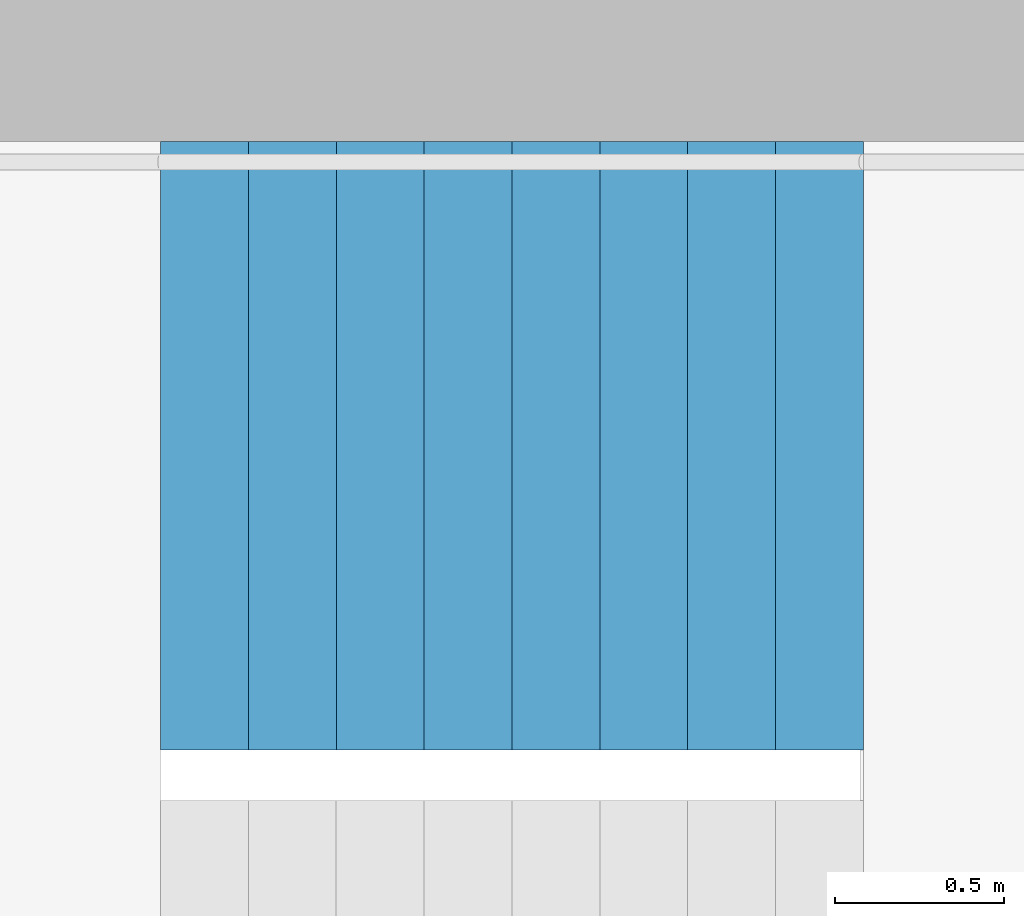
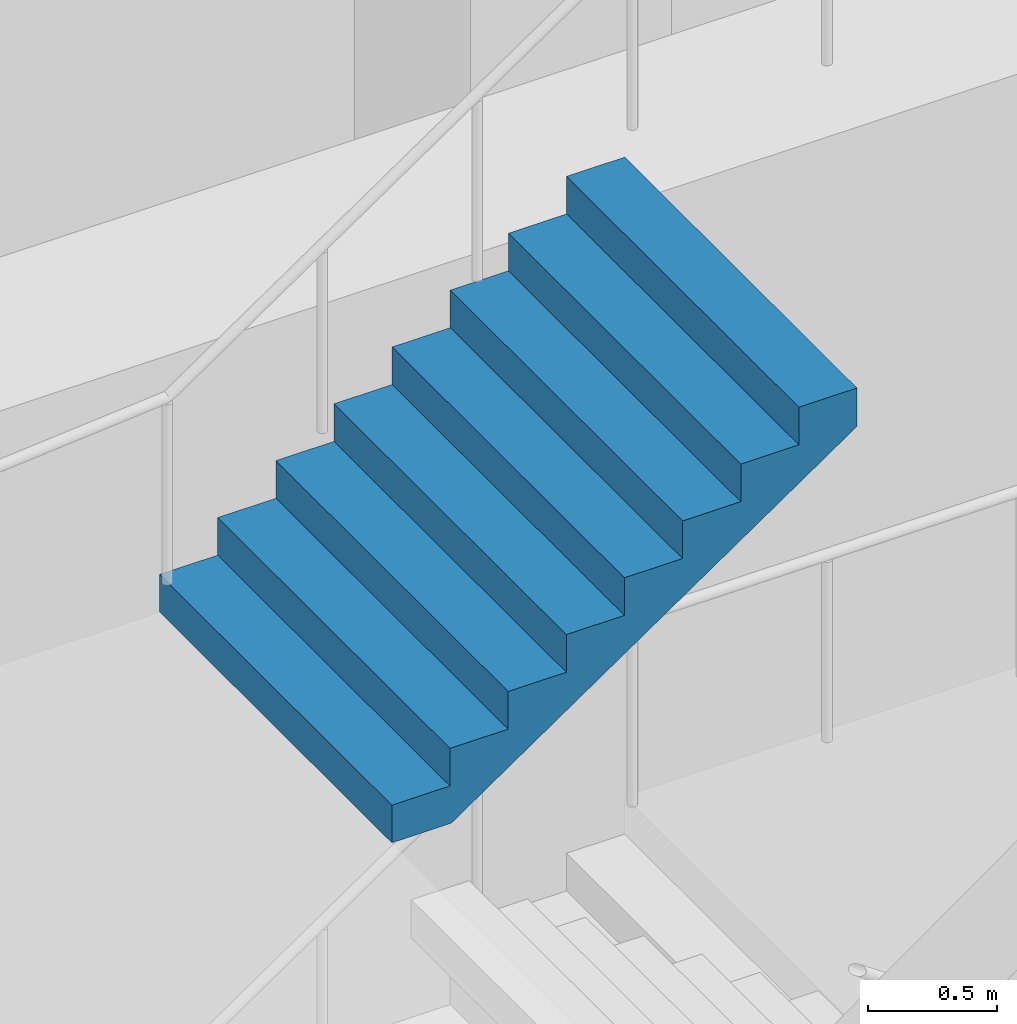
# One storey, part 32 of 44: 1 stair flight, 1 element without a shape of its own.
"""IFC4 building model written with IfcOpenShell, lengths in metres."""

from ifc_helpers import new_model, si_unit, direction, frame, origin, place, context, subcontext, project, spatial, triangles, material, type_object, element, aggregate, save


model = new_model("IFC4")

# Units and contexts
model_context = context("Model", 3, precision=1e-05, world=origin(), true_north=direction((0.0, 1.0)))
body_context = subcontext(model_context, "Body", "Model", "MODEL_VIEW")
ifc_project = project(units=[si_unit("LENGTHUNIT", "METRE"), si_unit("AREAUNIT", "SQUARE_METRE"), si_unit("VOLUMEUNIT", "CUBIC_METRE"), si_unit("PLANEANGLEUNIT", "RADIAN"), si_unit("MASSUNIT", "GRAM", prefix="KILO")], contexts=[model_context])

# Site, building, storey
site_placement = place(None, origin())
site = spatial("IfcSite", under=ifc_project, at=site_placement, CompositionType="ELEMENT")
building_placement = place(site_placement, origin())
building = spatial("IfcBuilding", under=site, at=building_placement, Name="Hakoniwa Tower and Hamabe Station Hall", CompositionType="ELEMENT")
storey_placement = place(building_placement, frame((0.0, 0.0, 69.0)))
storey = spatial("IfcBuildingStorey", under=building, at=storey_placement, Name="L19", CompositionType="ELEMENT", Elevation=69.0)

# Stair, stair flight
ifc_material_1 = material(Name="Concrete C40", Category="concrete")
stair_type = type_object("IfcStairType", Name="ESCAPE STAIR 1800", PredefinedType="HALF_TURN_STAIR", material=ifc_material_1)
stair_placement = place(storey_placement, origin())
stair = element("IfcStair", 1, at=stair_placement, inside=storey, type_object=stair_type, Name="Escape stair ST-3 L19", PredefinedType="HALF_TURN_STAIR")
ifc_material_2 = material(Name="Concrete C40", Category="concrete")
stair_flight_type = type_object("IfcStairFlightType", Name="STAIR FLIGHT 1800", PredefinedType="STRAIGHT", material=ifc_material_2)
stair_flight_placement = place(storey_placement, frame((22.320068359375, 6.60009765625, 4.800048828125), z_axis=(0.0, 0.0, 1.0), x_axis=(1.0, 0.0, 0.0)))
stair_flight = element("IfcStairFlight", 2, at=stair_flight_placement, type_object=stair_flight_type, Name="ST-3 flight 4", NumberOfRisers=9, NumberOfTreads=8, PredefinedType="STRAIGHT", RiserHeight=0.177777778, TreadLength=0.26, context=body_context, shape_type="Tessellation", body=[
    triangles([(0.0, 0.89990234375, 0.0), (0.260009765625, 0.89990234375, 0.0), (0.265625, 0.89990234375, 0.0), (0.52001953125, 0.89990234375, 0.174072265625), (0.780029296875, 0.89990234375, 0.351806640625), (1.0400390625, 0.89990234375, 0.529541015625), (1.300048828125, 0.89990234375, 0.707275390625), (1.56005859375, 0.89990234375, 0.885009765625), (1.820068359375, 0.89990234375, 1.062744140625), (2.080078125, 0.89990234375, 1.24072265625), (2.080078125, 0.89990234375, 1.422119140625), (1.820068359375, 0.89990234375, 1.422119140625), (1.820068359375, 0.89990234375, 1.244384765625), (1.56005859375, 0.89990234375, 1.244384765625), (1.56005859375, 0.89990234375, 1.066650390625), (1.300048828125, 0.89990234375, 1.066650390625), (1.300048828125, 0.89990234375, 0.888916015625), (1.0400390625, 0.89990234375, 0.888916015625), (1.0400390625, 0.89990234375, 0.711181640625), (0.780029296875, 0.89990234375, 0.711181640625), (0.780029296875, 0.89990234375, 0.533447265625), (0.52001953125, 0.89990234375, 0.533447265625), (0.52001953125, 0.89990234375, 0.35546875), (0.265625, 0.89990234375, 0.35546875), (0.260009765625, 0.89990234375, 0.35546875), (0.260009765625, 0.89990234375, 0.177734375), (0.0, 0.89990234375, 0.177734375), (0.0, 0.06005859375, 0.0), (0.260009765625, 0.06005859375, 0.0), (0.265625, 0.06005859375, 0.0), (0.52001953125, 0.06005859375, 0.174072265625), (0.780029296875, 0.06005859375, 0.351806640625), (1.0400390625, 0.06005859375, 0.529541015625), (1.300048828125, 0.06005859375, 0.707275390625), (1.56005859375, 0.06005859375, 0.885009765625), (1.820068359375, 0.06005859375, 1.062744140625), (2.080078125, 0.06005859375, 1.24072265625), (2.080078125, 0.06005859375, 1.422119140625), (1.820068359375, 0.06005859375, 1.422119140625), (1.820068359375, 0.06005859375, 1.244384765625), (1.56005859375, 0.06005859375, 1.244384765625), (1.56005859375, 0.06005859375, 1.066650390625), (1.300048828125, 0.06005859375, 1.066650390625), (1.300048828125, 0.06005859375, 0.888916015625), (1.0400390625, 0.06005859375, 0.888916015625), (1.0400390625, 0.06005859375, 0.711181640625), (0.780029296875, 0.06005859375, 0.711181640625), (0.780029296875, 0.06005859375, 0.533447265625), (0.52001953125, 0.06005859375, 0.533447265625), (0.52001953125, 0.06005859375, 0.35546875), (0.265625, 0.06005859375, 0.35546875), (0.260009765625, 0.06005859375, 0.35546875), (0.260009765625, 0.06005859375, 0.177734375), (0.0, 0.06005859375, 0.177734375), (0.0, 0.04296875, 0.0), (0.260009765625, 0.04296875, 0.0), (0.265625, 0.04296875, 0.0), (0.52001953125, 0.04296875, 0.174072265625), (0.780029296875, 0.04296875, 0.351806640625), (1.0400390625, 0.04296875, 0.529541015625), (1.300048828125, 0.04296875, 0.707275390625), (1.56005859375, 0.04296875, 0.885009765625), (1.820068359375, 0.04296875, 1.062744140625), (2.080078125, 0.04296875, 1.24072265625), (2.080078125, 0.04296875, 1.422119140625), (1.820068359375, 0.04296875, 1.422119140625), (1.820068359375, 0.04296875, 1.244384765625), (1.56005859375, 0.04296875, 1.244384765625), (1.56005859375, 0.04296875, 1.066650390625), (1.300048828125, 0.04296875, 1.066650390625), (1.300048828125, 0.04296875, 0.888916015625), (1.0400390625, 0.04296875, 0.888916015625), (1.0400390625, 0.04296875, 0.711181640625), (0.780029296875, 0.04296875, 0.711181640625), (0.780029296875, 0.04296875, 0.533447265625), (0.52001953125, 0.04296875, 0.533447265625), (0.52001953125, 0.04296875, 0.35546875), (0.265625, 0.04296875, 0.35546875), (0.260009765625, 0.04296875, 0.35546875), (0.260009765625, 0.04296875, 0.177734375), (0.0, 0.04296875, 0.177734375), (0.0, 0.025634765625, 0.0), (0.260009765625, 0.025634765625, 0.0), (0.265625, 0.025634765625, 0.0), (0.52001953125, 0.025634765625, 0.174072265625), (0.780029296875, 0.025634765625, 0.351806640625), (1.0400390625, 0.025634765625, 0.529541015625), (1.300048828125, 0.025634765625, 0.707275390625), (1.56005859375, 0.025634765625, 0.885009765625), (1.820068359375, 0.025634765625, 1.062744140625), (2.080078125, 0.025634765625, 1.24072265625), (2.080078125, 0.025634765625, 1.422119140625), (1.820068359375, 0.025634765625, 1.422119140625), (1.820068359375, 0.025634765625, 1.244384765625), (1.56005859375, 0.025634765625, 1.244384765625), (1.56005859375, 0.025634765625, 1.066650390625), (1.300048828125, 0.025634765625, 1.066650390625), (1.300048828125, 0.025634765625, 0.888916015625), (1.0400390625, 0.025634765625, 0.888916015625), (1.0400390625, 0.025634765625, 0.711181640625), (0.780029296875, 0.025634765625, 0.711181640625), (0.780029296875, 0.025634765625, 0.533447265625), (0.52001953125, 0.025634765625, 0.533447265625), (0.52001953125, 0.025634765625, 0.35546875), (0.265625, 0.025634765625, 0.35546875), (0.260009765625, 0.025634765625, 0.35546875), (0.260009765625, 0.025634765625, 0.177734375), (0.0, 0.025634765625, 0.177734375), (0.0, 0.008544921875, 0.0), (0.260009765625, 0.008544921875, 0.0), (0.265625, 0.008544921875, 0.0), (0.52001953125, 0.008544921875, 0.174072265625), (0.780029296875, 0.008544921875, 0.351806640625), (1.0400390625, 0.008544921875, 0.529541015625), (1.300048828125, 0.008544921875, 0.707275390625), (1.56005859375, 0.008544921875, 0.885009765625), (1.820068359375, 0.008544921875, 1.062744140625), (2.080078125, 0.008544921875, 1.24072265625), (2.080078125, 0.008544921875, 1.422119140625), (1.820068359375, 0.008544921875, 1.422119140625), (1.820068359375, 0.008544921875, 1.244384765625), (1.56005859375, 0.008544921875, 1.244384765625), (1.56005859375, 0.008544921875, 1.066650390625), (1.300048828125, 0.008544921875, 1.066650390625), (1.300048828125, 0.008544921875, 0.888916015625), (1.0400390625, 0.008544921875, 0.888916015625), (1.0400390625, 0.008544921875, 0.711181640625), (0.780029296875, 0.008544921875, 0.711181640625), (0.780029296875, 0.008544921875, 0.533447265625), (0.52001953125, 0.008544921875, 0.533447265625), (0.52001953125, 0.008544921875, 0.35546875), (0.265625, 0.008544921875, 0.35546875), (0.260009765625, 0.008544921875, 0.35546875), (0.260009765625, 0.008544921875, 0.177734375), (0.0, 0.008544921875, 0.177734375), (0.0, -0.008544921875, 0.0), (0.260009765625, -0.008544921875, 0.0), (0.265625, -0.008544921875, 0.0), (0.52001953125, -0.008544921875, 0.174072265625), (0.780029296875, -0.008544921875, 0.351806640625), (1.0400390625, -0.008544921875, 0.529541015625), (1.300048828125, -0.008544921875, 0.707275390625), (1.56005859375, -0.008544921875, 0.885009765625), (1.820068359375, -0.008544921875, 1.062744140625), (2.080078125, -0.008544921875, 1.24072265625), (2.080078125, -0.008544921875, 1.422119140625), (1.820068359375, -0.008544921875, 1.422119140625), (1.820068359375, -0.008544921875, 1.244384765625), (1.56005859375, -0.008544921875, 1.244384765625), (1.56005859375, -0.008544921875, 1.066650390625), (1.300048828125, -0.008544921875, 1.066650390625), (1.300048828125, -0.008544921875, 0.888916015625), (1.0400390625, -0.008544921875, 0.888916015625), (1.0400390625, -0.008544921875, 0.711181640625), (0.780029296875, -0.008544921875, 0.711181640625), (0.780029296875, -0.008544921875, 0.533447265625), (0.52001953125, -0.008544921875, 0.533447265625), (0.52001953125, -0.008544921875, 0.35546875), (0.265625, -0.008544921875, 0.35546875), (0.260009765625, -0.008544921875, 0.35546875), (0.260009765625, -0.008544921875, 0.177734375), (0.0, -0.008544921875, 0.177734375), (0.0, -0.025634765625, 0.0), (0.260009765625, -0.025634765625, 0.0), (0.265625, -0.025634765625, 0.0), (0.52001953125, -0.025634765625, 0.174072265625), (0.780029296875, -0.025634765625, 0.351806640625), (1.0400390625, -0.025634765625, 0.529541015625), (1.300048828125, -0.025634765625, 0.707275390625), (1.56005859375, -0.025634765625, 0.885009765625), (1.820068359375, -0.025634765625, 1.062744140625), (2.080078125, -0.025634765625, 1.24072265625), (2.080078125, -0.025634765625, 1.422119140625), (1.820068359375, -0.025634765625, 1.422119140625), (1.820068359375, -0.025634765625, 1.244384765625), (1.56005859375, -0.025634765625, 1.244384765625), (1.56005859375, -0.025634765625, 1.066650390625), (1.300048828125, -0.025634765625, 1.066650390625), (1.300048828125, -0.025634765625, 0.888916015625), (1.0400390625, -0.025634765625, 0.888916015625), (1.0400390625, -0.025634765625, 0.711181640625), (0.780029296875, -0.025634765625, 0.711181640625), (0.780029296875, -0.025634765625, 0.533447265625), (0.52001953125, -0.025634765625, 0.533447265625), (0.52001953125, -0.025634765625, 0.35546875), (0.265625, -0.025634765625, 0.35546875), (0.260009765625, -0.025634765625, 0.35546875), (0.260009765625, -0.025634765625, 0.177734375), (0.0, -0.025634765625, 0.177734375), (0.0, -0.04296875, 0.0), (0.260009765625, -0.04296875, 0.0), (0.265625, -0.04296875, 0.0), (0.52001953125, -0.04296875, 0.174072265625), (0.780029296875, -0.04296875, 0.351806640625), (1.0400390625, -0.04296875, 0.529541015625), (1.300048828125, -0.04296875, 0.707275390625), (1.56005859375, -0.04296875, 0.885009765625), (1.820068359375, -0.04296875, 1.062744140625), (2.080078125, -0.04296875, 1.24072265625), (2.080078125, -0.04296875, 1.422119140625), (1.820068359375, -0.04296875, 1.422119140625), (1.820068359375, -0.04296875, 1.244384765625), (1.56005859375, -0.04296875, 1.244384765625), (1.56005859375, -0.04296875, 1.066650390625), (1.300048828125, -0.04296875, 1.066650390625), (1.300048828125, -0.04296875, 0.888916015625), (1.0400390625, -0.04296875, 0.888916015625), (1.0400390625, -0.04296875, 0.711181640625), (0.780029296875, -0.04296875, 0.711181640625), (0.780029296875, -0.04296875, 0.533447265625), (0.52001953125, -0.04296875, 0.533447265625), (0.52001953125, -0.04296875, 0.35546875), (0.265625, -0.04296875, 0.35546875), (0.260009765625, -0.04296875, 0.35546875), (0.260009765625, -0.04296875, 0.177734375), (0.0, -0.04296875, 0.177734375), (0.0, -0.06005859375, 0.0), (0.260009765625, -0.06005859375, 0.0), (0.265625, -0.06005859375, 0.0), (0.52001953125, -0.06005859375, 0.174072265625), (0.780029296875, -0.06005859375, 0.351806640625), (1.0400390625, -0.06005859375, 0.529541015625), (1.300048828125, -0.06005859375, 0.707275390625), (1.56005859375, -0.06005859375, 0.885009765625), (1.820068359375, -0.06005859375, 1.062744140625), (2.080078125, -0.06005859375, 1.24072265625), (2.080078125, -0.06005859375, 1.422119140625), (1.820068359375, -0.06005859375, 1.422119140625), (1.820068359375, -0.06005859375, 1.244384765625), (1.56005859375, -0.06005859375, 1.244384765625), (1.56005859375, -0.06005859375, 1.066650390625), (1.300048828125, -0.06005859375, 1.066650390625), (1.300048828125, -0.06005859375, 0.888916015625), (1.0400390625, -0.06005859375, 0.888916015625), (1.0400390625, -0.06005859375, 0.711181640625), (0.780029296875, -0.06005859375, 0.711181640625), (0.780029296875, -0.06005859375, 0.533447265625), (0.52001953125, -0.06005859375, 0.533447265625), (0.52001953125, -0.06005859375, 0.35546875), (0.265625, -0.06005859375, 0.35546875), (0.260009765625, -0.06005859375, 0.35546875), (0.260009765625, -0.06005859375, 0.177734375), (0.0, -0.06005859375, 0.177734375), (0.0, -0.89990234375, 0.0), (0.260009765625, -0.89990234375, 0.0), (0.265625, -0.89990234375, 0.0), (0.52001953125, -0.89990234375, 0.174072265625), (0.780029296875, -0.89990234375, 0.351806640625), (1.0400390625, -0.89990234375, 0.529541015625), (1.300048828125, -0.89990234375, 0.707275390625), (1.56005859375, -0.89990234375, 0.885009765625), (1.820068359375, -0.89990234375, 1.062744140625), (2.080078125, -0.89990234375, 1.24072265625), (2.080078125, -0.89990234375, 1.422119140625), (1.820068359375, -0.89990234375, 1.422119140625), (1.820068359375, -0.89990234375, 1.244384765625), (1.56005859375, -0.89990234375, 1.244384765625), (1.56005859375, -0.89990234375, 1.066650390625), (1.300048828125, -0.89990234375, 1.066650390625), (1.300048828125, -0.89990234375, 0.888916015625), (1.0400390625, -0.89990234375, 0.888916015625), (1.0400390625, -0.89990234375, 0.711181640625), (0.780029296875, -0.89990234375, 0.711181640625), (0.780029296875, -0.89990234375, 0.533447265625), (0.52001953125, -0.89990234375, 0.533447265625), (0.52001953125, -0.89990234375, 0.35546875), (0.265625, -0.89990234375, 0.35546875), (0.260009765625, -0.89990234375, 0.35546875), (0.260009765625, -0.89990234375, 0.177734375), (0.0, -0.89990234375, 0.177734375)], [[2, 27, 26], [245, 269, 270], [2, 1, 27], [245, 270, 244], [3, 25, 24], [246, 267, 268], [3, 26, 25], [246, 268, 269], [3, 2, 26], [246, 269, 245], [4, 24, 23], [247, 266, 267], [4, 3, 24], [247, 267, 246], [5, 22, 21], [248, 264, 265], [5, 23, 22], [248, 265, 266], [5, 4, 23], [248, 266, 247], [6, 20, 19], [249, 262, 263], [6, 21, 20], [249, 263, 264], [6, 5, 21], [249, 264, 248], [7, 18, 17], [250, 260, 261], [7, 19, 18], [250, 261, 262], [7, 6, 19], [250, 262, 249], [8, 16, 15], [251, 258, 259], [8, 17, 16], [251, 259, 260], [8, 7, 17], [251, 260, 250], [9, 14, 13], [252, 256, 257], [9, 15, 14], [252, 257, 258], [9, 8, 15], [252, 258, 251], [10, 12, 11], [253, 254, 255], [10, 13, 12], [253, 255, 256], [10, 9, 13], [253, 256, 252], [1, 2, 29], [1, 29, 28], [28, 29, 56], [28, 56, 55], [55, 56, 83], [55, 83, 82], [82, 83, 110], [82, 110, 109], [109, 110, 137], [109, 137, 136], [136, 137, 164], [136, 164, 163], [163, 164, 191], [163, 191, 190], [190, 191, 218], [190, 218, 217], [217, 218, 245], [217, 245, 244], [2, 3, 30], [2, 30, 29], [29, 30, 57], [29, 57, 56], [56, 57, 84], [56, 84, 83], [83, 84, 111], [83, 111, 110], [110, 111, 138], [110, 138, 137], [137, 138, 165], [137, 165, 164], [164, 165, 192], [164, 192, 191], [191, 192, 219], [191, 219, 218], [218, 219, 246], [218, 246, 245], [3, 4, 31], [3, 31, 30], [30, 31, 58], [30, 58, 57], [57, 58, 85], [57, 85, 84], [84, 85, 112], [84, 112, 111], [111, 112, 139], [111, 139, 138], [138, 139, 166], [138, 166, 165], [165, 166, 193], [165, 193, 192], [192, 193, 220], [192, 220, 219], [219, 220, 247], [219, 247, 246], [4, 5, 32], [4, 32, 31], [31, 32, 59], [31, 59, 58], [58, 59, 86], [58, 86, 85], [85, 86, 113], [85, 113, 112], [112, 113, 140], [112, 140, 139], [139, 140, 167], [139, 167, 166], [166, 167, 194], [166, 194, 193], [193, 194, 221], [193, 221, 220], [220, 221, 248], [220, 248, 247], [5, 6, 33], [5, 33, 32], [32, 33, 60], [32, 60, 59], [59, 60, 87], [59, 87, 86], [86, 87, 114], [86, 114, 113], [113, 114, 141], [113, 141, 140], [140, 141, 168], [140, 168, 167], [167, 168, 195], [167, 195, 194], [194, 195, 222], [194, 222, 221], [221, 222, 249], [221, 249, 248], [6, 7, 34], [6, 34, 33], [33, 34, 61], [33, 61, 60], [60, 61, 88], [60, 88, 87], [87, 88, 115], [87, 115, 114], [114, 115, 142], [114, 142, 141], [141, 142, 169], [141, 169, 168], [168, 169, 196], [168, 196, 195], [195, 196, 223], [195, 223, 222], [222, 223, 250], [222, 250, 249], [7, 8, 35], [7, 35, 34], [34, 35, 62], [34, 62, 61], [61, 62, 89], [61, 89, 88], [88, 89, 116], [88, 116, 115], [115, 116, 143], [115, 143, 142], [142, 143, 170], [142, 170, 169], [169, 170, 197], [169, 197, 196], [196, 197, 224], [196, 224, 223], [223, 224, 251], [223, 251, 250], [8, 9, 36], [8, 36, 35], [35, 36, 63], [35, 63, 62], [62, 63, 90], [62, 90, 89], [89, 90, 117], [89, 117, 116], [116, 117, 144], [116, 144, 143], [143, 144, 171], [143, 171, 170], [170, 171, 198], [170, 198, 197], [197, 198, 225], [197, 225, 224], [224, 225, 252], [224, 252, 251], [9, 10, 37], [9, 37, 36], [36, 37, 64], [36, 64, 63], [63, 64, 91], [63, 91, 90], [90, 91, 118], [90, 118, 117], [117, 118, 145], [117, 145, 144], [144, 145, 172], [144, 172, 171], [171, 172, 199], [171, 199, 198], [198, 199, 226], [198, 226, 225], [225, 226, 253], [225, 253, 252], [10, 11, 38], [10, 38, 37], [37, 38, 65], [37, 65, 64], [64, 65, 92], [64, 92, 91], [91, 92, 119], [91, 119, 118], [118, 119, 146], [118, 146, 145], [145, 146, 173], [145, 173, 172], [172, 173, 200], [172, 200, 199], [199, 200, 227], [199, 227, 226], [226, 227, 254], [226, 254, 253], [11, 12, 39], [11, 39, 38], [38, 39, 66], [38, 66, 65], [65, 66, 93], [65, 93, 92], [92, 93, 120], [92, 120, 119], [119, 120, 147], [119, 147, 146], [146, 147, 174], [146, 174, 173], [173, 174, 201], [173, 201, 200], [200, 201, 228], [200, 228, 227], [227, 228, 255], [227, 255, 254], [12, 13, 40], [12, 40, 39], [39, 40, 67], [39, 67, 66], [66, 67, 94], [66, 94, 93], [93, 94, 121], [93, 121, 120], [120, 121, 148], [120, 148, 147], [147, 148, 175], [147, 175, 174], [174, 175, 202], [174, 202, 201], [201, 202, 229], [201, 229, 228], [228, 229, 256], [228, 256, 255], [13, 14, 41], [13, 41, 40], [40, 41, 68], [40, 68, 67], [67, 68, 95], [67, 95, 94], [94, 95, 122], [94, 122, 121], [121, 122, 149], [121, 149, 148], [148, 149, 176], [148, 176, 175], [175, 176, 203], [175, 203, 202], [202, 203, 230], [202, 230, 229], [229, 230, 257], [229, 257, 256], [14, 15, 42], [14, 42, 41], [41, 42, 69], [41, 69, 68], [68, 69, 96], [68, 96, 95], [95, 96, 123], [95, 123, 122], [122, 123, 150], [122, 150, 149], [149, 150, 177], [149, 177, 176], [176, 177, 204], [176, 204, 203], [203, 204, 231], [203, 231, 230], [230, 231, 258], [230, 258, 257], [15, 16, 43], [15, 43, 42], [42, 43, 70], [42, 70, 69], [69, 70, 97], [69, 97, 96], [96, 97, 124], [96, 124, 123], [123, 124, 151], [123, 151, 150], [150, 151, 178], [150, 178, 177], [177, 178, 205], [177, 205, 204], [204, 205, 232], [204, 232, 231], [231, 232, 259], [231, 259, 258], [16, 17, 44], [16, 44, 43], [43, 44, 71], [43, 71, 70], [70, 71, 98], [70, 98, 97], [97, 98, 125], [97, 125, 124], [124, 125, 152], [124, 152, 151], [151, 152, 179], [151, 179, 178], [178, 179, 206], [178, 206, 205], [205, 206, 233], [205, 233, 232], [232, 233, 260], [232, 260, 259], [17, 18, 45], [17, 45, 44], [44, 45, 72], [44, 72, 71], [71, 72, 99], [71, 99, 98], [98, 99, 126], [98, 126, 125], [125, 126, 153], [125, 153, 152], [152, 153, 180], [152, 180, 179], [179, 180, 207], [179, 207, 206], [206, 207, 234], [206, 234, 233], [233, 234, 261], [233, 261, 260], [18, 19, 46], [18, 46, 45], [45, 46, 73], [45, 73, 72], [72, 73, 100], [72, 100, 99], [99, 100, 127], [99, 127, 126], [126, 127, 154], [126, 154, 153], [153, 154, 181], [153, 181, 180], [180, 181, 208], [180, 208, 207], [207, 208, 235], [207, 235, 234], [234, 235, 262], [234, 262, 261], [19, 20, 47], [19, 47, 46], [46, 47, 74], [46, 74, 73], [73, 74, 101], [73, 101, 100], [100, 101, 128], [100, 128, 127], [127, 128, 155], [127, 155, 154], [154, 155, 182], [154, 182, 181], [181, 182, 209], [181, 209, 208], [208, 209, 236], [208, 236, 235], [235, 236, 263], [235, 263, 262], [20, 21, 48], [20, 48, 47], [47, 48, 75], [47, 75, 74], [74, 75, 102], [74, 102, 101], [101, 102, 129], [101, 129, 128], [128, 129, 156], [128, 156, 155], [155, 156, 183], [155, 183, 182], [182, 183, 210], [182, 210, 209], [209, 210, 237], [209, 237, 236], [236, 237, 264], [236, 264, 263], [21, 22, 49], [21, 49, 48], [48, 49, 76], [48, 76, 75], [75, 76, 103], [75, 103, 102], [102, 103, 130], [102, 130, 129], [129, 130, 157], [129, 157, 156], [156, 157, 184], [156, 184, 183], [183, 184, 211], [183, 211, 210], [210, 211, 238], [210, 238, 237], [237, 238, 265], [237, 265, 264], [22, 23, 50], [22, 50, 49], [49, 50, 77], [49, 77, 76], [76, 77, 104], [76, 104, 103], [103, 104, 131], [103, 131, 130], [130, 131, 158], [130, 158, 157], [157, 158, 185], [157, 185, 184], [184, 185, 212], [184, 212, 211], [211, 212, 239], [211, 239, 238], [238, 239, 266], [238, 266, 265], [23, 24, 51], [23, 51, 50], [50, 51, 78], [50, 78, 77], [77, 78, 105], [77, 105, 104], [104, 105, 132], [104, 132, 131], [131, 132, 159], [131, 159, 158], [158, 159, 186], [158, 186, 185], [185, 186, 213], [185, 213, 212], [212, 213, 240], [212, 240, 239], [239, 240, 267], [239, 267, 266], [24, 25, 52], [24, 52, 51], [51, 52, 79], [51, 79, 78], [78, 79, 106], [78, 106, 105], [105, 106, 133], [105, 133, 132], [132, 133, 160], [132, 160, 159], [159, 160, 187], [159, 187, 186], [186, 187, 214], [186, 214, 213], [213, 214, 241], [213, 241, 240], [240, 241, 268], [240, 268, 267], [25, 26, 53], [25, 53, 52], [52, 53, 80], [52, 80, 79], [79, 80, 107], [79, 107, 106], [106, 107, 134], [106, 134, 133], [133, 134, 161], [133, 161, 160], [160, 161, 188], [160, 188, 187], [187, 188, 215], [187, 215, 214], [214, 215, 242], [214, 242, 241], [241, 242, 269], [241, 269, 268], [26, 27, 54], [26, 54, 53], [53, 54, 81], [53, 81, 80], [80, 81, 108], [80, 108, 107], [107, 108, 135], [107, 135, 134], [134, 135, 162], [134, 162, 161], [161, 162, 189], [161, 189, 188], [188, 189, 216], [188, 216, 215], [215, 216, 243], [215, 243, 242], [242, 243, 270], [242, 270, 269], [27, 1, 28], [27, 28, 54], [54, 28, 55], [54, 55, 81], [81, 55, 82], [81, 82, 108], [108, 82, 109], [108, 109, 135], [135, 109, 136], [135, 136, 162], [162, 136, 163], [162, 163, 189], [189, 163, 190], [189, 190, 216], [216, 190, 217], [216, 217, 243], [243, 217, 244], [243, 244, 270]], closed=True),
])
aggregate(stair, [stair_flight])

save(model, "model.ifc")
